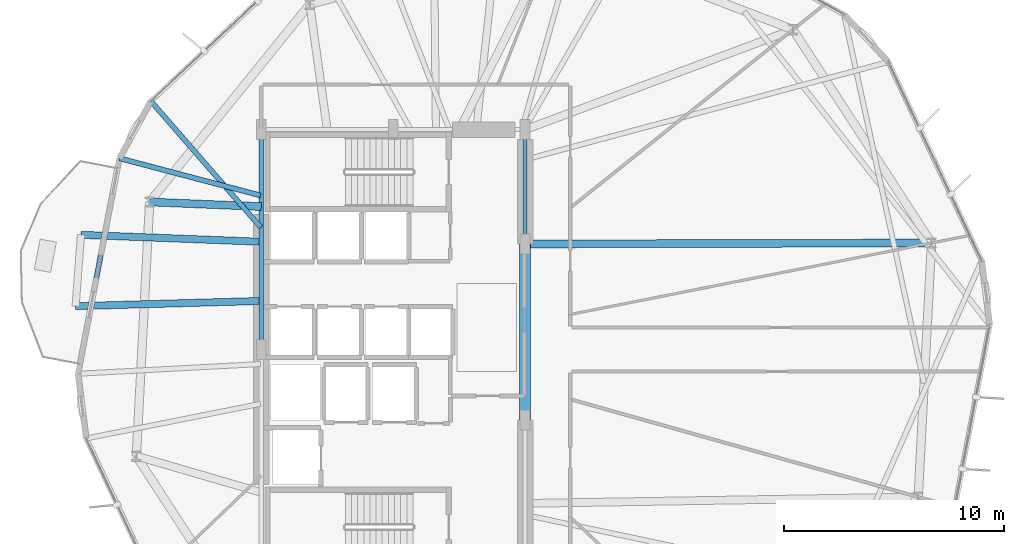
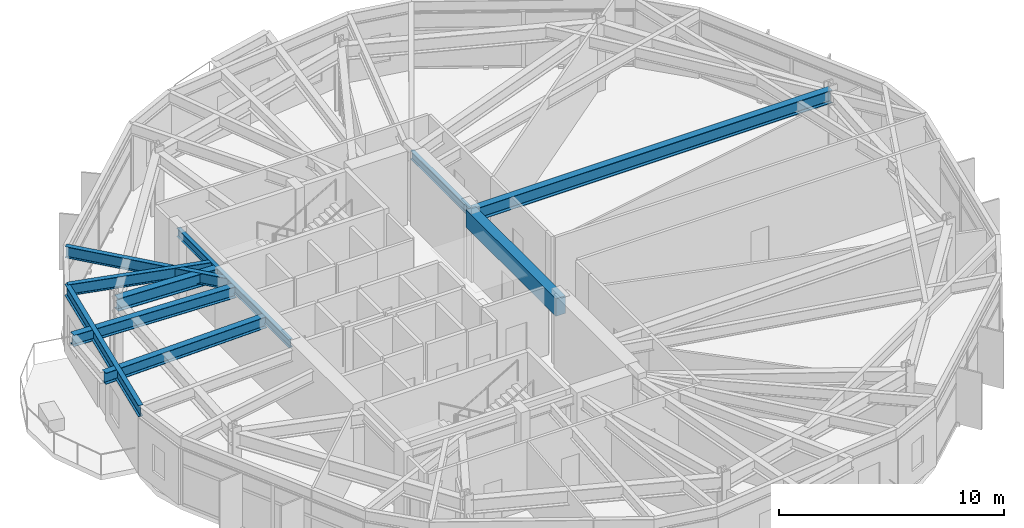
# One storey, part 7 of 22: 10 beams.
"""IFC4 building model written with IfcOpenShell, lengths in metres."""

from ifc_helpers import new_model, si_unit, direction, frame, origin, origin_2d, place, context, subcontext, project, spatial, rectangle, i_section, extrude, material, material_profile, profile_set, type_object, element, save


model = new_model("IFC4")

# Units and contexts
model_context = context("Model", 3, precision=1e-05, world=origin(), true_north=direction((0.0, 1.0)))
body_context = subcontext(model_context, "Body", "Model", "MODEL_VIEW")
ifc_project = project(units=[si_unit("LENGTHUNIT", "METRE"), si_unit("AREAUNIT", "SQUARE_METRE"), si_unit("VOLUMEUNIT", "CUBIC_METRE"), si_unit("PLANEANGLEUNIT", "RADIAN"), si_unit("MASSUNIT", "GRAM", prefix="KILO")], contexts=[model_context])

# Site, building, storey
site_placement = place(None, origin())
site = spatial("IfcSite", under=ifc_project, at=site_placement, CompositionType="ELEMENT")
building_placement = place(site_placement, origin())
building = spatial("IfcBuilding", under=site, at=building_placement, Name="Soratama Intermodal Tower", CompositionType="ELEMENT")
storey_placement = place(building_placement, frame((0.0, 0.0, 54.60009765625)))
storey = spatial("IfcBuildingStorey", under=building, at=storey_placement, Name="L12", CompositionType="ELEMENT", Elevation=54.60009765625)

# Beams
ifc_material_1 = material(Name="Structural steel ASTM A992 Grade 50", Category="steel")
ifc_material_profile_1 = material_profile(ifc_material_1, i_section(OverallWidth=0.324951171875, OverallDepth=0.615966796875, WebThickness=0.013916015625, FlangeThickness=0.021484375, FilletRadius=0.013916015625, at=origin_2d()), Name="W24X117")
ifc_profile_set_1 = profile_set([ifc_material_profile_1], Name="Structural steel ASTM A992 Grade 50")
beam_type_1 = type_object("IfcBeamType", Name="BM-CANT-W24X117", PredefinedType="BEAM", material=ifc_profile_set_1)
beam_1_placement = place(storey_placement, frame((32.56005859375, 29.90087890625, 3.391845703125), z_axis=(-0.999255068719, 0.038591548813, 0.0), x_axis=(-0.038591548813, -0.999255068719, 0.0)))
element("IfcBeam", 1, at=beam_1_placement, inside=storey, type_object=beam_type_1, Name="BM-L12-CANT-2-1", PredefinedType="BEAM", context=body_context, shape_type="SweptSolid", body=[
    extrude(i_section(OverallWidth=0.324951171875, OverallDepth=0.615966796875, WebThickness=0.013916015625, FlangeThickness=0.021484375, FilletRadius=0.013916015625, at=origin_2d()), origin(), (0.0, 0.0, 1.0), 8.167236328125),
])
beam_2_placement = place(storey_placement, frame((32.56005859375, 27.2060546875, 3.391845703125), z_axis=(-0.999612246074, -0.027845241932, 0.0), x_axis=(0.027845241932, -0.999612246074, 0.0)))
element("IfcBeam", 2, at=beam_2_placement, inside=storey, type_object=beam_type_1, Name="BM-L12-CANT-2-2", PredefinedType="BEAM", context=body_context, shape_type="SweptSolid", body=[
    extrude(i_section(OverallWidth=0.324951171875, OverallDepth=0.615966796875, WebThickness=0.013916015625, FlangeThickness=0.021484375, FilletRadius=0.013916015625, at=origin_2d()), origin(), (0.0, 0.0, 1.0), 8.408203125),
])
ifc_material_2 = material(Name="Concrete f'c 56 MPa", Category="concrete")
ifc_material_profile_2 = material_profile(ifc_material_2, rectangle(XDim=0.5, YDim=0.949951171875, at=origin_2d()), Name="RC500X950")
ifc_profile_set_2 = profile_set([ifc_material_profile_2], Name="Concrete f'c 56 MPa")
beam_type_2 = type_object("IfcBeamType", Name="BM-CPL-RC500X950", PredefinedType="BEAM", material=ifc_profile_set_2)
beam_3_placement = place(storey_placement, frame((44.60009765625, 21.800048828125, 3.224853515625), z_axis=(0.0, 1.0, 0.0), x_axis=(-1.0, 0.0, 0.0)))
element("IfcBeam", 3, at=beam_3_placement, inside=storey, type_object=beam_type_2, Name="L12 Core Coupling Beam East", PredefinedType="BEAM", context=body_context, shape_type="SweptSolid", body=[
    extrude(rectangle(XDim=0.5, YDim=0.949951171875, at=origin_2d()), origin(), (0.0, 0.0, 1.0), 8.0),
])
ifc_material_3 = material(Name="Structural steel ASTM A992 Grade 50", Category="steel")
ifc_material_profile_3 = material_profile(ifc_material_3, i_section(OverallWidth=0.19091796875, OverallDepth=0.4599609375, WebThickness=0.010009765625, FlangeThickness=0.01611328125, FilletRadius=0.010986328125, at=origin_2d()), Name="W18X55")
ifc_profile_set_3 = profile_set([ifc_material_profile_3], Name="Structural steel ASTM A992 Grade 50")
beam_type_3 = type_object("IfcBeamType", Name="BM-FLR-W18X55", PredefinedType="BEAM", material=ifc_profile_set_3)
beam_4_placement = place(storey_placement, frame((44.60009765625, 29.800048828125, 3.469970703125), z_axis=(0.0, 1.0, 0.0), x_axis=(-1.0, 0.0, 0.0)))
element("IfcBeam", 4, at=beam_4_placement, inside=storey, type_object=beam_type_3, Name="BM-L12-CRING-05", PredefinedType="BEAM", context=body_context, shape_type="SweptSolid", body=[
    extrude(i_section(OverallWidth=0.19091796875, OverallDepth=0.4599609375, WebThickness=0.010009765625, FlangeThickness=0.01611328125, FilletRadius=0.010986328125, at=origin_2d()), origin(), (0.0, 0.0, 1.0), 5.199951171875),
])
beam_5_placement = place(storey_placement, frame((32.60009765625, 35.0, 3.469970703125), z_axis=(0.0, -1.0, 0.0), x_axis=(1.0, 0.0, 0.0)))
element("IfcBeam", 5, at=beam_5_placement, inside=storey, type_object=beam_type_3, Name="BM-L12-CRING-08", PredefinedType="BEAM", context=body_context, shape_type="SweptSolid", body=[
    extrude(i_section(OverallWidth=0.19091796875, OverallDepth=0.4599609375, WebThickness=0.010009765625, FlangeThickness=0.01611328125, FilletRadius=0.010986328125, at=origin_2d()), origin(), (0.0, 0.0, 1.0), 10.0),
])
ifc_material_4 = material(Name="Structural steel ASTM A992 Grade 50", Category="steel")
ifc_material_profile_4 = material_profile(ifc_material_4, i_section(OverallWidth=0.35498046875, OverallDepth=0.695068359375, WebThickness=0.015380859375, FlangeThickness=0.02490234375, FilletRadius=0.01611328125, at=origin_2d()), Name="W27X146")
ifc_profile_set_4 = profile_set([ifc_material_profile_4], Name="Structural steel ASTM A992 Grade 50")
beam_type_4 = type_object("IfcBeamType", Name="BM-RING-W27X146", PredefinedType="BEAM", material=ifc_profile_set_4)
beam_6_placement = place(storey_placement, frame((44.60009765625, 29.800048828125, 3.352294921875), z_axis=(0.999997046146, 0.002430575896, 0.0), x_axis=(-0.002430575896, 0.999997046146, 0.0)))
element("IfcBeam", 6, at=beam_6_placement, inside=storey, type_object=beam_type_4, Name="BM-L12-RAD-01", PredefinedType="BEAM", context=body_context, shape_type="SweptSolid", body=[
    extrude(i_section(OverallWidth=0.35498046875, OverallDepth=0.695068359375, WebThickness=0.015380859375, FlangeThickness=0.02490234375, FilletRadius=0.01611328125, at=origin_2d()), origin(), (0.0, 0.0, 1.0), 18.48193359375),
])
beam_7_placement = place(storey_placement, frame((32.60009765625, 31.5, 3.352294921875), z_axis=(-0.999153929645, 0.041126936131, 0.0), x_axis=(-0.041126936131, -0.999153929645, 0.0)))
element("IfcBeam", 7, at=beam_7_placement, inside=storey, type_object=beam_type_4, Name="BM-L12-RAD-05", PredefinedType="BEAM", context=body_context, shape_type="SweptSolid", body=[
    extrude(i_section(OverallWidth=0.35498046875, OverallDepth=0.695068359375, WebThickness=0.015380859375, FlangeThickness=0.02490234375, FilletRadius=0.01611328125, at=origin_2d()), origin(), (0.0, 0.0, 1.0), 5.08154296875),
])
ifc_material_5 = material(Name="Structural steel ASTM A992 Grade 50", Category="steel")
ifc_material_profile_5 = material_profile(ifc_material_5, i_section(OverallWidth=0.22900390625, OverallDepth=0.612060546875, WebThickness=0.011962890625, FlangeThickness=0.01953125, FilletRadius=0.012939453125, at=origin_2d()), Name="W24X84")
ifc_profile_set_5 = profile_set([ifc_material_profile_5], Name="Structural steel ASTM A992 Grade 50")
beam_type_5 = type_object("IfcBeamType", Name="BM-SPN-W24X84", PredefinedType="SPANDREL", material=ifc_profile_set_5)
beam_8_placement = place(storey_placement, frame((26.14501953125, 33.697998046875, 3.393798828125), z_axis=(-0.188412710904, -0.982089940061, 0.0), x_axis=(0.982089940061, -0.188412710904, 0.0)))
element("IfcBeam", 8, at=beam_8_placement, inside=storey, type_object=beam_type_5, Name="BS-L12-F05", PredefinedType="SPANDREL", context=body_context, shape_type="SweptSolid", body=[
    extrude(i_section(OverallWidth=0.22900390625, OverallDepth=0.612060546875, WebThickness=0.011962890625, FlangeThickness=0.01953125, FilletRadius=0.012939453125, at=origin_2d()), origin(), (0.0, 0.0, 1.0), 9.978759765625),
])
ifc_material_6 = material(Name="Structural steel ASTM A992 Grade 50", Category="steel")
ifc_material_profile_6 = material_profile(ifc_material_6, i_section(OverallWidth=0.22900390625, OverallDepth=0.612060546875, WebThickness=0.011962890625, FlangeThickness=0.01953125, FilletRadius=0.012939453125, at=origin_2d()), Name="W24X84")
ifc_profile_set_6 = profile_set([ifc_material_profile_6], Name="Structural steel ASTM A992 Grade 50")
beam_type_6 = type_object("IfcBeamType", Name="BM-TIE-W24X84", PredefinedType="BEAM", material=ifc_profile_set_6)
beam_9_placement = place(storey_placement, frame((32.573974609375, 30.555908203125, 3.393798828125), z_axis=(-0.656610666856, 0.75422969457, 0.0), x_axis=(-0.75422969457, -0.656610666856, 0.0)))
element("IfcBeam", 9, at=beam_9_placement, inside=storey, type_object=beam_type_6, Name="BM-L12-TIE1-04", PredefinedType="BEAM", context=body_context, shape_type="SweptSolid", body=[
    extrude(i_section(OverallWidth=0.22900390625, OverallDepth=0.612060546875, WebThickness=0.011962890625, FlangeThickness=0.01953125, FilletRadius=0.012939453125, at=origin_2d()), origin(), (0.0, 0.0, 1.0), 7.6103515625),
])
beam_10_placement = place(storey_placement, frame((32.56103515625, 32.007080078125, 3.393798828125), z_axis=(-0.966982008413, 0.254844649554, 0.0), x_axis=(-0.254844649554, -0.966982008413, 0.0)))
element("IfcBeam", 10, at=beam_10_placement, inside=storey, type_object=beam_type_6, Name="BM-L12-TIE0-05", PredefinedType="BEAM", context=body_context, shape_type="SweptSolid", body=[
    extrude(i_section(OverallWidth=0.22900390625, OverallDepth=0.612060546875, WebThickness=0.011962890625, FlangeThickness=0.01953125, FilletRadius=0.012939453125, at=origin_2d()), origin(), (0.0, 0.0, 1.0), 6.635009765625),
])

save(model, "model.ifc")
